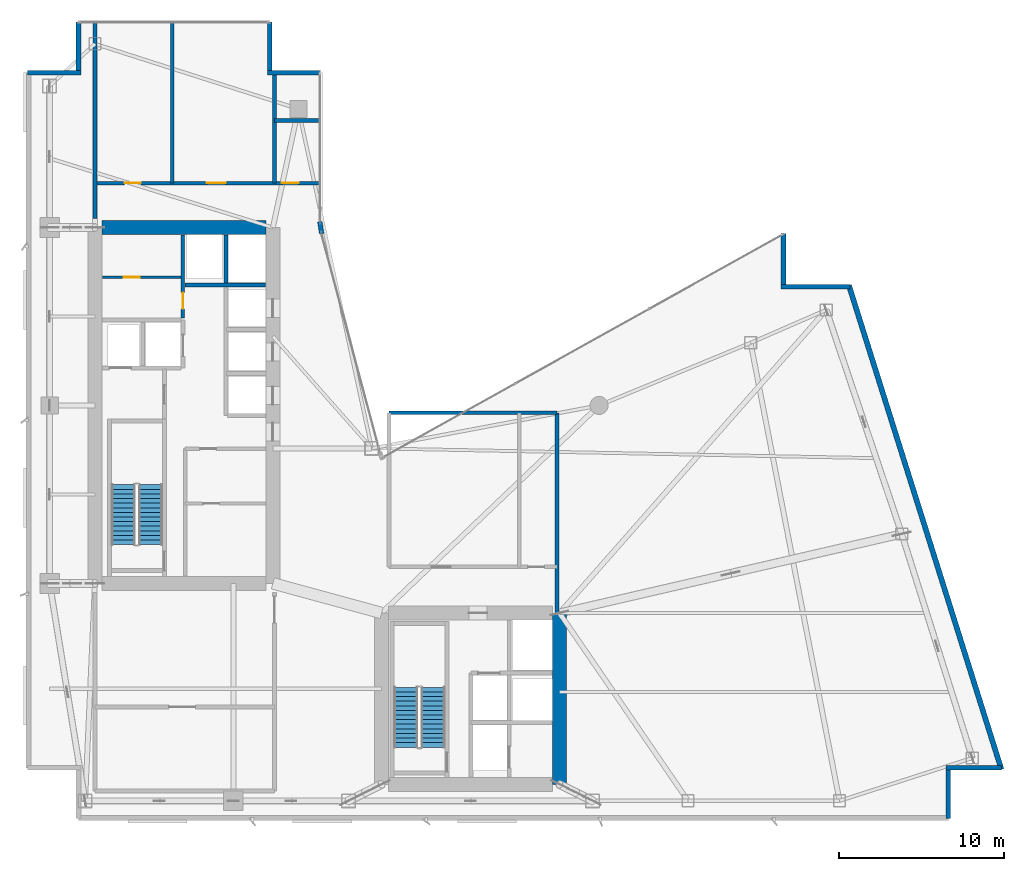
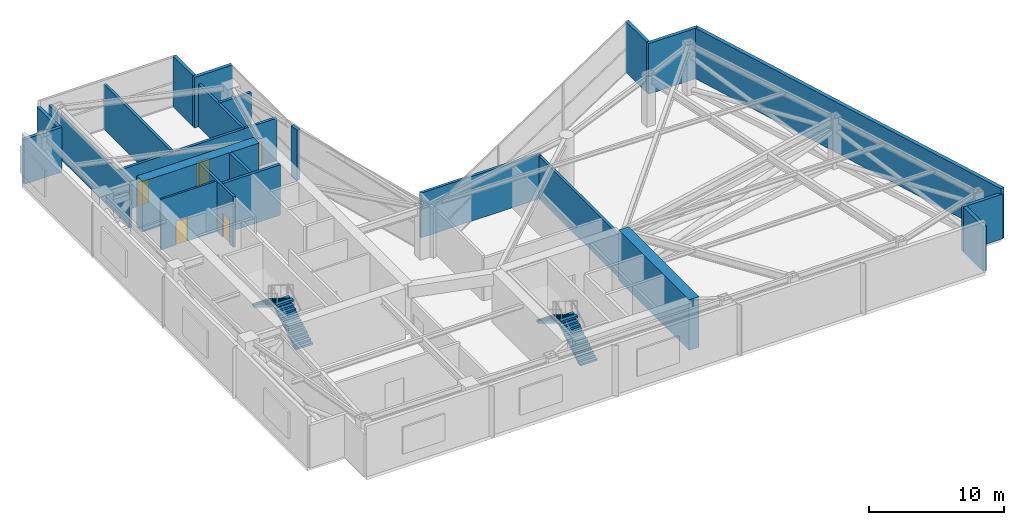
# One storey, part 16 of 19: 23 walls, 5 doors, 4 stair flights, 5 openings, 2 elements without a shape of their own.
"""IFC4 building model written with IfcOpenShell, lengths in metres."""

from ifc_helpers import new_model, si_unit, direction, frame, frame_2d, origin, place, context, subcontext, project, spatial, polyline, rectangle, outline, extrude, material, layer, layer_set, type_object, element, fill, aggregate, save


model = new_model("IFC4")

# Units and contexts
model_context = context("Model", 3, precision=1e-05, world=origin(), true_north=direction((0.0, 1.0)))
body_context = subcontext(model_context, "Body", "Model", "MODEL_VIEW")
ifc_project = project(units=[si_unit("LENGTHUNIT", "METRE"), si_unit("AREAUNIT", "SQUARE_METRE"), si_unit("VOLUMEUNIT", "CUBIC_METRE"), si_unit("PLANEANGLEUNIT", "RADIAN"), si_unit("MASSUNIT", "GRAM", prefix="KILO")], contexts=[model_context])

# Site, building, storey
site_placement = place(None, origin())
site = spatial("IfcSite", under=ifc_project, at=site_placement, CompositionType="ELEMENT")
building_placement = place(site_placement, origin())
building = spatial("IfcBuilding", under=site, at=building_placement, Name="Calvorn Quay Hotel", CompositionType="ELEMENT")
storey_placement = place(building_placement, frame((0.0, 0.0, 139.199951171875)))
storey = spatial("IfcBuildingStorey", under=building, at=storey_placement, Name="L34", CompositionType="ELEMENT", Elevation=139.199951171875)

# Walls
ifc_material_1 = material(Name="Concrete C50", Category="concrete")
ifc_layer_1 = layer(ifc_material_1, 0.85009765625)
ifc_layer_set_1 = layer_set([ifc_layer_1], Name="WL-CORE-850")
wall_type_1 = type_object("IfcWallType", Name="WL-CORE-850", PredefinedType="SHEAR", material=ifc_layer_set_1)
wall_1_placement = place(storey_placement, frame((4.625, 38.39990234375, 0.0), z_axis=(0.0, 0.0, 1.0), x_axis=(1.0, 0.0, 0.0)))
element("IfcWall", 1, at=wall_1_placement, inside=storey, type_object=wall_type_1, Name="West Core Shear Wall N (L34)", PredefinedType="SHEAR", context=body_context, shape_type="SweptSolid", body=[
    extrude(rectangle(XDim=9.949951171875, YDim=0.85009765625, at=frame_2d((4.97509765625, 0.0))), origin(), (0.0, 0.0, 1.0), 4.56005859375),
])
wall_2_placement = place(storey_placement, frame((32.39990234375, 4.60009765625, 0.0), z_axis=(0.0, 0.0, 1.0), x_axis=(0.0, 1.0, 0.0)))
element("IfcWall", 2, at=wall_2_placement, inside=storey, type_object=wall_type_1, Name="East Core Shear Wall E (L34)", PredefinedType="SHEAR", context=body_context, shape_type="SweptSolid", body=[
    extrude(rectangle(XDim=10.39990234375, YDim=0.85009765625, at=frame_2d((5.199951171875, 0.0))), origin(), (0.0, 0.0, 1.0), 4.56005859375),
])
ifc_material_2 = material(Name="Concrete C40", Category="concrete")
ifc_layer_2 = layer(ifc_material_2, 0.320068359375)
ifc_layer_set_2 = layer_set([ifc_layer_2], Name="WL-EXT-SPANDREL-320")
wall_type_2 = type_object("IfcWallType", Name="WL-EXT-SPANDREL-320", PredefinedType="SOLIDWALL", material=ifc_layer_set_2)
wall_3_placement = place(storey_placement, frame((17.9619140625, 38.030029296875, 0.0), z_axis=(0.0, 0.0, 1.0), x_axis=(-0.15141125477, 0.988470855377, 0.0)))
element("IfcWall", 3, at=wall_3_placement, inside=storey, type_object=wall_type_2, Name="Inner Court Corner Pier L34-ICJ2", PredefinedType="SOLIDWALL", context=body_context, shape_type="SweptSolid", body=[
    extrude(rectangle(XDim=0.738525390625, YDim=0.280029296875, at=frame_2d((0.369140625, 0.0))), origin(), (0.0, 0.0, 1.0), 4.56005859375),
])
wall_4_placement = place(storey_placement, frame((56.0, 2.52001953125, 0.0), z_axis=(0.0, 0.0, 1.0), x_axis=(0.0, 1.0, 0.0)))
element("IfcWall", 4, at=wall_4_placement, inside=storey, type_object=wall_type_2, Name="Notched Corner Spandrel L34-SE1", PredefinedType="SOLIDWALL", context=body_context, shape_type="SweptSolid", body=[
    extrude(rectangle(XDim=2.93994140625, YDim=0.280029296875, at=frame_2d((1.469970703125, 0.0))), origin(), (0.0, 0.0, 1.0), 4.0400390625),
])
wall_5_placement = place(storey_placement, frame((55.860107421875, 5.60009765625, 0.0), z_axis=(0.0, 0.0, 1.0), x_axis=(1.0, 0.0, 0.0)))
element("IfcWall", 5, at=wall_5_placement, inside=storey, type_object=wall_type_2, Name="Notched Corner Spandrel L34-SE2", PredefinedType="SOLIDWALL", context=body_context, shape_type="SweptSolid", body=[
    extrude(rectangle(XDim=3.3798828125, YDim=0.280029296875, at=frame_2d((1.68994140625, 0.0))), origin(), (0.0, 0.0, 1.0), 4.0400390625),
])
wall_6_placement = place(storey_placement, frame((50.0400390625, 34.800048828125, 0.0), z_axis=(0.0, 0.0, 1.0), x_axis=(-1.0, 0.0, 0.0)))
element("IfcWall", 6, at=wall_6_placement, inside=storey, type_object=wall_type_2, Name="Notched Corner Spandrel L34-NE1", PredefinedType="SOLIDWALL", context=body_context, shape_type="SweptSolid", body=[
    extrude(rectangle(XDim=4.179931640625, YDim=0.280029296875, at=frame_2d((2.08984375, 0.0))), origin(), (0.0, 0.0, 1.0), 4.56005859375),
])
wall_7_placement = place(storey_placement, frame((46.0, 34.93994140625, 0.0), z_axis=(0.0, 0.0, 1.0), x_axis=(0.0, 1.0, 0.0)))
element("IfcWall", 7, at=wall_7_placement, inside=storey, type_object=wall_type_2, Name="Notched Corner Spandrel L34-NE2", PredefinedType="SOLIDWALL", context=body_context, shape_type="SweptSolid", body=[
    extrude(rectangle(XDim=3.10009765625, YDim=0.280029296875, at=frame_2d((1.550048828125, 0.0))), origin(), (0.0, 0.0, 1.0), 4.56005859375),
])
wall_8_placement = place(storey_placement, frame((17.89990234375, 47.800048828125, 0.0), z_axis=(0.0, 0.0, 1.0), x_axis=(-1.0, 0.0, 0.0)))
element("IfcWall", 8, at=wall_8_placement, inside=storey, type_object=wall_type_2, Name="Notched Corner Spandrel L34-NWE1", PredefinedType="SOLIDWALL", context=body_context, shape_type="SweptSolid", body=[
    extrude(rectangle(XDim=3.239990234375, YDim=0.280029296875, at=frame_2d((1.6201171875, 0.0))), origin(), (0.0, 0.0, 1.0), 4.56005859375),
])
wall_9_placement = place(storey_placement, frame((14.800048828125, 47.93994140625, 0.0), z_axis=(0.0, 0.0, 1.0), x_axis=(0.0, 1.0, 0.0)))
element("IfcWall", 9, at=wall_9_placement, inside=storey, type_object=wall_type_2, Name="Notched Corner Spandrel L34-NWE2", PredefinedType="SOLIDWALL", context=body_context, shape_type="SweptSolid", body=[
    extrude(rectangle(XDim=2.93994140625, YDim=0.280029296875, at=frame_2d((1.469970703125, 0.0))), origin(), (0.0, 0.0, 1.0), 4.56005859375),
])
wall_10_placement = place(storey_placement, frame((3.199951171875, 50.8798828125, 0.0), z_axis=(0.0, 0.0, 1.0), x_axis=(0.0, -1.0, 0.0)))
element("IfcWall", 10, at=wall_10_placement, inside=storey, type_object=wall_type_2, Name="Notched Corner Spandrel L34-NW1", PredefinedType="SOLIDWALL", context=body_context, shape_type="SweptSolid", body=[
    extrude(rectangle(XDim=2.93994140625, YDim=0.280029296875, at=frame_2d((1.469970703125, 0.0))), origin(), (0.0, 0.0, 1.0), 4.0400390625),
])
wall_11_placement = place(storey_placement, frame((3.340087890625, 47.800048828125, 0.0), z_axis=(0.0, 0.0, 1.0), x_axis=(-1.0, 0.0, 0.0)))
element("IfcWall", 11, at=wall_11_placement, inside=storey, type_object=wall_type_2, Name="Notched Corner Spandrel L34-NW2", PredefinedType="SOLIDWALL", context=body_context, shape_type="SweptSolid", body=[
    extrude(rectangle(XDim=3.219970703125, YDim=0.280029296875, at=frame_2d((1.60986328125, 0.0))), origin(), (0.0, 0.0, 1.0), 4.0400390625),
])
wall_12_placement = place(storey_placement, frame((59.22998046875, 5.5048828125, 0.0), z_axis=(0.0, 0.0, 1.0), x_axis=(-0.300509063924, 0.953778958931, 0.0)))
element("IfcWall", 12, at=wall_12_placement, inside=storey, type_object=wall_type_2, Name="East Stepped Waterfront Exterior Wall (L34)", PredefinedType="SOLIDWALL", context=body_context, shape_type="SweptSolid", body=[
    extrude(rectangle(XDim=30.814453125, YDim=0.320068359375, at=frame_2d((15.4072265625, 0.0))), origin(), (0.0, 0.0, 1.0), 4.56005859375),
])

# Wall, opening, door
ifc_material_3 = material(Name="Double-Stud Acoustic Gypsum Partition")
ifc_layer_3 = layer(ifc_material_3, 0.159912109375)
ifc_layer_set_3 = layer_set([ifc_layer_3], Name="WL-INTERSUITE-160")
wall_type_3 = type_object("IfcWallType", Name="WL-INTERSUITE-160", PredefinedType="PARTITIONING", material=ifc_layer_set_3)
wall_13_placement = place(storey_placement, frame((4.64501953125, 35.3798828125, 0.0), z_axis=(0.0, 0.0, 1.0), x_axis=(1.0, 0.0, 0.0)))
wall_13 = element("IfcWall", 13, at=wall_13_placement, inside=storey, type_object=wall_type_3, Name="Partition Wall L34-WL-CWW-K-MID", PredefinedType="PARTITIONING", context=body_context, shape_type="SweptSolid", body=[
    extrude(rectangle(XDim=4.77490234375, YDim=0.159912109375, at=frame_2d((2.387451171875, 0.0))), origin(), (0.0, 0.0, 1.0), 4.56005859375),
])
opening_1_placement = place(wall_13_placement, frame((1.300048828125, 0.0, 0.0)))
opening_1 = element("IfcOpeningElement", 14, at=opening_1_placement, cuts=wall_13, Name="Opening D-L34-CK2", PredefinedType="OPENING", context=body_context, shape_type="SweptSolid", body=[
    extrude(rectangle(XDim=0.97998046875, YDim=2.14990234375, at=frame_2d((0.489990234375, 1.074951171875))), frame((0.0, 0.08984375, 0.0), z_axis=(0.0, -1.0, 0.0), x_axis=(1.0, 0.0, 0.0)), (0.0, 0.0, 1.0), 0.179931640625),
])
ifc_material_4 = material(Name="Painted Steel Housekeeping/Riser Fire Door", Category="steel")
door_type_1 = type_object("IfcDoorType", Name="DR-SERVICE-980", OperationType="NOTDEFINED", PredefinedType="DOOR", material=ifc_material_4)
door_1_placement = place(opening_1_placement, origin())
door_1 = element("IfcDoor", 15, at=door_1_placement, inside=storey, type_object=door_type_1, Name="Electrical Riser Door (L34)", OperationType="SINGLE_SWING_RIGHT", OverallHeight=2.14990234375, OverallWidth=0.97998046875, PredefinedType="DOOR", context=body_context, shape_type="SweptSolid", body=[
    extrude(rectangle(XDim=0.97998046875, YDim=2.14990234375, at=frame_2d((0.489990234375, 1.074951171875))), frame((0.0, 0.02490234375, 0.0), z_axis=(0.0, -1.0, 0.0), x_axis=(1.0, 0.0, 0.0)), (0.0, 0.0, 1.0), 0.050048828125),
])
fill(opening_1, door_1)

ifc_material_5 = material(Name="Autoclaved Aerated Masonry Block", Category="masonry")
ifc_layer_4 = layer(ifc_material_5, 0.219970703125)
ifc_layer_set_4 = layer_set([ifc_layer_4], Name="WL-LOBBY-FIRE-220")
wall_type_4 = type_object("IfcWallType", Name="WL-LOBBY-FIRE-220", PredefinedType="SOLIDWALL", material=ifc_layer_set_4)
wall_14_placement = place(storey_placement, frame((9.5400390625, 32.919921875, 0.0), z_axis=(0.0, 0.0, 1.0), x_axis=(0.0, 1.0, 0.0)))
wall_14 = element("IfcWall", 16, at=wall_14_placement, inside=storey, type_object=wall_type_4, Name="Partition Wall L34-WL-CWW-K-E", PredefinedType="SOLIDWALL", context=body_context, shape_type="SweptSolid", body=[
    extrude(rectangle(XDim=5.03515625, YDim=0.219970703125, at=frame_2d((2.517578125, 0.0))), origin(), (0.0, 0.0, 1.0), 4.56005859375),
])
opening_2_placement = place(wall_14_placement, frame((0.550048828125, 0.0, 0.0)))
opening_2 = element("IfcOpeningElement", 17, at=opening_2_placement, cuts=wall_14, Name="Opening D-L34-CK1", PredefinedType="OPENING", context=body_context, shape_type="SweptSolid", body=[
    extrude(rectangle(XDim=0.97998046875, YDim=2.14990234375, at=frame_2d((0.489990234375, 1.074951171875))), frame((0.0, 0.119873046875, 0.0), z_axis=(0.0, -1.0, 0.0), x_axis=(1.0, 0.0, 0.0)), (0.0, 0.0, 1.0), 0.239990234375),
])
door_2_placement = place(opening_2_placement, origin())
door_2 = element("IfcDoor", 18, at=door_2_placement, inside=storey, type_object=door_type_1, Name="Core Housekeeping Door (L34)", OperationType="SINGLE_SWING_LEFT", OverallHeight=2.14990234375, OverallWidth=0.97998046875, PredefinedType="DOOR", context=body_context, shape_type="SweptSolid", body=[
    extrude(rectangle(XDim=0.97998046875, YDim=2.14990234375, at=frame_2d((0.489990234375, 1.074951171875))), frame((0.0, 0.02490234375, 0.0), z_axis=(0.0, -1.0, 0.0), x_axis=(1.0, 0.0, 0.0)), (0.0, 0.0, 1.0), 0.050048828125),
])
fill(opening_2, door_2)

# Walls
wall_15_placement = place(storey_placement, frame((4.199951171875, 38.949951171875, 0.0), z_axis=(0.0, 0.0, 1.0), x_axis=(0.0, 1.0, 0.0)))
element("IfcWall", 19, at=wall_15_placement, inside=storey, type_object=wall_type_4, Name="Partition Wall L34-WL-RF-BELT-NW", PredefinedType="SOLIDWALL", context=body_context, shape_type="SweptSolid", body=[
    extrude(rectangle(XDim=11.989990234375, YDim=0.219970703125, at=frame_2d((5.9951171875, 0.0))), origin(), (0.0, 0.0, 1.0), 3.840087890625),
])
wall_16_placement = place(storey_placement, frame((8.89990234375, 41.10009765625, 0.0), z_axis=(0.0, 0.0, 1.0), x_axis=(0.0, 1.0, 0.0)))
element("IfcWall", 20, at=wall_16_placement, inside=storey, type_object=wall_type_4, Name="Partition Wall L34-WL-RF-EL-E", PredefinedType="SOLIDWALL", context=body_context, shape_type="SweptSolid", body=[
    extrude(rectangle(XDim=9.83984375, YDim=0.219970703125, at=frame_2d((4.919921875, 0.0))), origin(), (0.0, 0.0, 1.0), 4.0400390625),
])

# Wall, openings, doors
wall_17_placement = place(storey_placement, frame((4.199951171875, 41.10009765625, 0.0), z_axis=(0.0, 0.0, 1.0), x_axis=(1.0, 0.0, 0.0)))
wall_17 = element("IfcWall", 21, at=wall_17_placement, inside=storey, type_object=wall_type_4, Name="Partition Wall L34-WL-RF-N-S", PredefinedType="SOLIDWALL", context=body_context, shape_type="SweptSolid", body=[
    extrude(rectangle(XDim=13.650146484375, YDim=0.219970703125, at=frame_2d((6.8251953125, 0.0))), origin(), (0.0, 0.0, 1.0), 3.840087890625),
])
opening_3_placement = place(wall_17_placement, frame((1.800048828125, 0.0, 0.0)))
opening_3 = element("IfcOpeningElement", 22, at=opening_3_placement, cuts=wall_17, Name="Opening D-L34-P3", PredefinedType="OPENING", context=body_context, shape_type="SweptSolid", body=[
    extrude(rectangle(XDim=0.97998046875, YDim=2.14990234375, at=frame_2d((0.489990234375, 1.074951171875))), frame((0.0, 0.119873046875, 0.0), z_axis=(0.0, -1.0, 0.0), x_axis=(1.0, 0.0, 0.0)), (0.0, 0.0, 1.0), 0.239990234375),
])
opening_4_placement = place(wall_17_placement, frame((6.800048828125, 0.0, 0.0)))
opening_4 = element("IfcOpeningElement", 23, at=opening_4_placement, cuts=wall_17, Name="Opening D-L34-RF1", PredefinedType="OPENING", context=body_context, shape_type="SweptSolid", body=[
    extrude(rectangle(XDim=1.14990234375, YDim=2.199951171875, at=frame_2d((0.574951171875, 1.10009765625))), frame((0.0, 0.119873046875, 0.0), z_axis=(0.0, -1.0, 0.0), x_axis=(1.0, 0.0, 0.0)), (0.0, 0.0, 1.0), 0.239990234375),
])
opening_5_placement = place(wall_17_placement, frame((11.35009765625, 0.0, 0.0)))
opening_5 = element("IfcOpeningElement", 24, at=opening_5_placement, cuts=wall_17, Name="Opening D-L34-RFW", PredefinedType="OPENING", context=body_context, shape_type="SweptSolid", body=[
    extrude(rectangle(XDim=1.02001953125, YDim=2.199951171875, at=frame_2d((0.510009765625, 1.10009765625))), frame((0.0, 0.119873046875, 0.0), z_axis=(0.0, -1.0, 0.0), x_axis=(1.0, 0.0, 0.0)), (0.0, 0.0, 1.0), 0.239990234375),
])
ifc_material_6 = material(Name="Solid-Core Walnut Veneer Hotel Fire Door")
door_type_2 = type_object("IfcDoorType", Name="DR-GUEST-ENTRY-1020", OperationType="NOTDEFINED", PredefinedType="DOOR", material=ifc_material_6)
door_3_placement = place(opening_5_placement, origin())
door_3 = element("IfcDoor", 25, at=door_3_placement, inside=storey, type_object=door_type_2, Name="Refuge Accessible WC Door", OperationType="SINGLE_SWING_RIGHT", OverallHeight=2.199951171875, OverallWidth=1.02001953125, PredefinedType="DOOR", context=body_context, shape_type="SweptSolid", body=[
    extrude(rectangle(XDim=1.02001953125, YDim=2.199951171875, at=frame_2d((0.510009765625, 1.10009765625))), frame((0.0, 0.02490234375, 0.0), z_axis=(0.0, -1.0, 0.0), x_axis=(1.0, 0.0, 0.0)), (0.0, 0.0, 1.0), 0.050048828125),
])
fill(opening_5, door_3)
door_4_placement = place(opening_3_placement, origin())
door_4 = element("IfcDoor", 26, at=door_4_placement, inside=storey, type_object=door_type_1, Name="Electrical Substation Door", OperationType="SINGLE_SWING_LEFT", OverallHeight=2.14990234375, OverallWidth=0.97998046875, PredefinedType="DOOR", context=body_context, shape_type="SweptSolid", body=[
    extrude(rectangle(XDim=0.97998046875, YDim=2.14990234375, at=frame_2d((0.489990234375, 1.074951171875))), frame((0.0, 0.02490234375, 0.0), z_axis=(0.0, -1.0, 0.0), x_axis=(1.0, 0.0, 0.0)), (0.0, 0.0, 1.0), 0.050048828125),
])
fill(opening_3, door_4)
ifc_material_7 = material(Name="Galvanised Steel Class A Fire Door", Category="steel")
door_type_3 = type_object("IfcDoorType", Name="DR-STAIR-SMOKE-1150", OperationType="NOTDEFINED", PredefinedType="DOOR", material=ifc_material_7)
door_5_placement = place(opening_4_placement, origin())
door_5 = element("IfcDoor", 27, at=door_5_placement, inside=storey, type_object=door_type_3, Name="North Refuge Area Fire Door", OperationType="SINGLE_SWING_LEFT", OverallHeight=2.199951171875, OverallWidth=1.14990234375, PredefinedType="DOOR", context=body_context, shape_type="SweptSolid", body=[
    extrude(rectangle(XDim=1.14990234375, YDim=2.199951171875, at=frame_2d((0.574951171875, 1.10009765625))), frame((0.0, 0.02490234375, 0.0), z_axis=(0.0, -1.0, 0.0), x_axis=(1.0, 0.0, 0.0)), (0.0, 0.0, 1.0), 0.050048828125),
])
fill(opening_4, door_5)

# Walls
wall_18_placement = place(storey_placement, frame((15.10009765625, 41.10009765625, 0.0), z_axis=(0.0, 0.0, 1.0), x_axis=(0.0, 1.0, 0.0)))
element("IfcWall", 28, at=wall_18_placement, inside=storey, type_object=wall_type_4, Name="Partition Wall L34-WL-RF-WC-W", PredefinedType="SOLIDWALL", context=body_context, shape_type="SweptSolid", body=[
    extrude(rectangle(XDim=6.699951171875, YDim=0.219970703125, at=frame_2d((3.35009765625, 0.0))), origin(), (0.0, 0.0, 1.0), 3.840087890625),
])
wall_19_placement = place(storey_placement, frame((15.10009765625, 44.89990234375, 0.0), z_axis=(0.0, 0.0, 1.0), x_axis=(1.0, 0.0, 0.0)))
element("IfcWall", 29, at=wall_19_placement, inside=storey, type_object=wall_type_4, Name="Partition Wall L34-WL-RF-WC-N", PredefinedType="SOLIDWALL", context=body_context, shape_type="SweptSolid", body=[
    extrude(rectangle(XDim=2.75, YDim=0.219970703125, at=frame_2d((1.375, 0.0))), origin(), (0.0, 0.0, 1.0), 3.840087890625),
])
wall_20_placement = place(storey_placement, frame((32.25, 15.0, 0.0), z_axis=(0.0, 0.0, 1.0), x_axis=(0.0, 1.0, 0.0)))
element("IfcWall", 30, at=wall_20_placement, inside=storey, type_object=wall_type_4, Name="Partition Wall L34-WL-RF-C-E", PredefinedType="SOLIDWALL", context=body_context, shape_type="SweptSolid", body=[
    extrude(rectangle(XDim=12.14990234375, YDim=0.219970703125, at=frame_2d((6.074951171875, 0.0))), origin(), (0.0, 0.0, 1.0), 3.840087890625),
])
wall_21_placement = place(storey_placement, frame((22.050048828125, 27.14990234375, 0.0), z_axis=(0.0, 0.0, 1.0), x_axis=(1.0, 0.0, 0.0)))
element("IfcWall", 31, at=wall_21_placement, inside=storey, type_object=wall_type_4, Name="Partition Wall L34-WL-RF-C-N", PredefinedType="SOLIDWALL", context=body_context, shape_type="SweptSolid", body=[
    extrude(rectangle(XDim=10.199951171875, YDim=0.219970703125, at=frame_2d((5.10009765625, 0.0))), origin(), (0.0, 0.0, 1.0), 4.0400390625),
])
ifc_material_8 = material(Name="Concrete C40", Category="concrete")
ifc_layer_5 = layer(ifc_material_8, 0.239990234375)
ifc_layer_set_5 = layer_set([ifc_layer_5], Name="WL-SHAFT-240")
wall_type_5 = type_object("IfcWallType", Name="WL-SHAFT-240", PredefinedType="SOLIDWALL", material=ifc_layer_set_5)
wall_22_placement = place(storey_placement, frame((9.659912109375, 34.89990234375, 0.0), z_axis=(0.0, 0.0, 1.0), x_axis=(1.0, 0.0, 0.0)))
element("IfcWall", 32, at=wall_22_placement, inside=storey, type_object=wall_type_5, Name="Partition Wall L34-WL-CWW-PLH-S", PredefinedType="SOLIDWALL", context=body_context, shape_type="SweptSolid", body=[
    extrude(rectangle(XDim=4.89501953125, YDim=0.239990234375, at=frame_2d((2.447509765625, 0.0))), origin(), (0.0, 0.0, 1.0), 4.56005859375),
])
wall_23_placement = place(storey_placement, frame((12.14990234375, 35.02001953125, 0.0), z_axis=(0.0, 0.0, 1.0), x_axis=(0.0, 1.0, 0.0)))
element("IfcWall", 33, at=wall_23_placement, inside=storey, type_object=wall_type_5, Name="Partition Wall L34-WL-CWW-PLH-DIV", PredefinedType="SOLIDWALL", context=body_context, shape_type="SweptSolid", body=[
    extrude(rectangle(XDim=2.93505859375, YDim=0.239990234375, at=frame_2d((1.467529296875, 0.0))), origin(), (0.0, 0.0, 1.0), 4.56005859375),
])

# Stair, stair flights
ifc_material_9 = material(Name="Concrete C40", Category="concrete")
stair_type = type_object("IfcStairType", Name="STR-CORE-DOGLEG", PredefinedType="HALF_TURN_STAIR", material=ifc_material_9)
stair_1_placement = place(storey_placement, origin())
stair_1 = element("IfcStair", 34, at=stair_1_placement, inside=storey, type_object=stair_type, Name="L34 ST-W", PredefinedType="HALF_TURN_STAIR")
ifc_material_10 = material(Name="Concrete C40", Category="concrete")
stair_flight_type = type_object("IfcStairFlightType", Name="FLT-CORE-1550", PredefinedType="STRAIGHT", material=ifc_material_10)
stair_flight_1_placement = place(storey_placement, frame((7.574951171875, 19.14990234375, 0.0), z_axis=(0.0, 0.0, 1.0), x_axis=(0.0, 1.0, 0.0)))
stair_flight_1 = element("IfcStairFlight", 35, at=stair_flight_1_placement, type_object=stair_flight_type, Name="ST-W flight 1", NumberOfRisers=14, NumberOfTreads=13, PredefinedType="STRAIGHT", RiserHeight=0.171428571, TreadLength=0.28, context=body_context, shape_type="SweptSolid", body=[
    extrude(outline(polyline([(0.0, 0.0), (0.0, 0.17138671875), (0.280029296875, 0.17138671875), (0.280029296875, 0.3427734375), (0.56005859375, 0.3427734375), (0.56005859375, 0.514404296875), (0.840087890625, 0.514404296875), (0.840087890625, 0.685791015625), (1.1201171875, 0.685791015625), (1.1201171875, 0.857177734375), (1.39990234375, 0.857177734375), (1.39990234375, 1.028564453125), (1.679931640625, 1.028564453125), (1.679931640625, 1.199951171875), (1.9599609375, 1.199951171875), (1.9599609375, 1.371337890625), (2.239990234375, 1.371337890625), (2.239990234375, 1.54296875), (2.52001953125, 1.54296875), (2.52001953125, 1.71435546875), (2.800048828125, 1.71435546875), (2.800048828125, 1.8857421875), (3.080078125, 1.8857421875), (3.080078125, 2.05712890625), (3.360107421875, 2.05712890625), (3.360107421875, 2.228515625), (3.639892578125, 2.228515625), (3.639892578125, 2.39990234375), (3.639892578125, 2.052734375), (0.287109375, 0.0), (0.0, 0.0)])), frame((0.0, 0.72509765625, 0.0), z_axis=(0.0, -1.0, 0.0), x_axis=(1.0, 0.0, 0.0)), (0.0, 0.0, 1.0), 1.449951171875),
])
stair_flight_2_placement = place(storey_placement, frame((5.925048828125, 22.7900390625, 2.400146484375), z_axis=(0.0, 0.0, 1.0), x_axis=(0.0, -1.0, 0.0)))
stair_flight_2 = element("IfcStairFlight", 36, at=stair_flight_2_placement, type_object=stair_flight_type, Name="ST-W flight 2", NumberOfRisers=14, NumberOfTreads=13, PredefinedType="STRAIGHT", RiserHeight=0.171428571, TreadLength=0.28, context=body_context, shape_type="SweptSolid", body=[
    extrude(outline(polyline([(0.0, 0.0), (0.0, 0.17138671875), (0.280029296875, 0.17138671875), (0.280029296875, 0.3427734375), (0.56005859375, 0.3427734375), (0.56005859375, 0.514404296875), (0.840087890625, 0.514404296875), (0.840087890625, 0.685791015625), (1.1201171875, 0.685791015625), (1.1201171875, 0.857177734375), (1.39990234375, 0.857177734375), (1.39990234375, 1.028564453125), (1.679931640625, 1.028564453125), (1.679931640625, 1.199951171875), (1.9599609375, 1.199951171875), (1.9599609375, 1.371337890625), (2.239990234375, 1.371337890625), (2.239990234375, 1.54296875), (2.52001953125, 1.54296875), (2.52001953125, 1.71435546875), (2.800048828125, 1.71435546875), (2.800048828125, 1.8857421875), (3.080078125, 1.8857421875), (3.080078125, 2.05712890625), (3.360107421875, 2.05712890625), (3.360107421875, 2.228515625), (3.639892578125, 2.228515625), (3.639892578125, 2.39990234375), (3.639892578125, 2.052734375), (0.287109375, 0.0), (0.0, 0.0)])), frame((0.0, 0.72509765625, 0.0), z_axis=(0.0, -1.0, 0.0), x_axis=(1.0, 0.0, 0.0)), (0.0, 0.0, 1.0), 1.449951171875),
])
aggregate(stair_1, [stair_flight_1, stair_flight_2])

stair_2_placement = place(storey_placement, origin())
stair_2 = element("IfcStair", 37, at=stair_2_placement, inside=storey, type_object=stair_type, Name="L34 ST-E", PredefinedType="HALF_TURN_STAIR")
stair_flight_3_placement = place(storey_placement, frame((24.72509765625, 6.85009765625, 0.0), z_axis=(0.0, 0.0, 1.0), x_axis=(0.0, 1.0, 0.0)))
stair_flight_3 = element("IfcStairFlight", 38, at=stair_flight_3_placement, type_object=stair_flight_type, Name="ST-E flight 1", NumberOfRisers=14, NumberOfTreads=13, PredefinedType="STRAIGHT", RiserHeight=0.171428571, TreadLength=0.28, context=body_context, shape_type="SweptSolid", body=[
    extrude(outline(polyline([(0.0, 0.0), (0.0, 0.17138671875), (0.280029296875, 0.17138671875), (0.280029296875, 0.3427734375), (0.56005859375, 0.3427734375), (0.56005859375, 0.514404296875), (0.840087890625, 0.514404296875), (0.840087890625, 0.685791015625), (1.1201171875, 0.685791015625), (1.1201171875, 0.857177734375), (1.39990234375, 0.857177734375), (1.39990234375, 1.028564453125), (1.679931640625, 1.028564453125), (1.679931640625, 1.199951171875), (1.9599609375, 1.199951171875), (1.9599609375, 1.371337890625), (2.239990234375, 1.371337890625), (2.239990234375, 1.54296875), (2.52001953125, 1.54296875), (2.52001953125, 1.71435546875), (2.800048828125, 1.71435546875), (2.800048828125, 1.8857421875), (3.080078125, 1.8857421875), (3.080078125, 2.05712890625), (3.360107421875, 2.05712890625), (3.360107421875, 2.228515625), (3.639892578125, 2.228515625), (3.639892578125, 2.39990234375), (3.639892578125, 2.052734375), (0.287109375, 0.0), (0.0, 0.0)])), frame((0.0, 0.72509765625, 0.0), z_axis=(0.0, -1.0, 0.0), x_axis=(1.0, 0.0, 0.0)), (0.0, 0.0, 1.0), 1.449951171875),
])
stair_flight_4_placement = place(storey_placement, frame((23.074951171875, 10.489990234375, 2.400146484375), z_axis=(0.0, 0.0, 1.0), x_axis=(0.0, -1.0, 0.0)))
stair_flight_4 = element("IfcStairFlight", 39, at=stair_flight_4_placement, type_object=stair_flight_type, Name="ST-E flight 2", NumberOfRisers=14, NumberOfTreads=13, PredefinedType="STRAIGHT", RiserHeight=0.171428571, TreadLength=0.28, context=body_context, shape_type="SweptSolid", body=[
    extrude(outline(polyline([(0.0, 0.0), (0.0, 0.17138671875), (0.280029296875, 0.17138671875), (0.280029296875, 0.3427734375), (0.56005859375, 0.3427734375), (0.56005859375, 0.514404296875), (0.840087890625, 0.514404296875), (0.840087890625, 0.685791015625), (1.1201171875, 0.685791015625), (1.1201171875, 0.857177734375), (1.39990234375, 0.857177734375), (1.39990234375, 1.028564453125), (1.679931640625, 1.028564453125), (1.679931640625, 1.199951171875), (1.9599609375, 1.199951171875), (1.9599609375, 1.371337890625), (2.239990234375, 1.371337890625), (2.239990234375, 1.54296875), (2.52001953125, 1.54296875), (2.52001953125, 1.71435546875), (2.800048828125, 1.71435546875), (2.800048828125, 1.8857421875), (3.080078125, 1.8857421875), (3.080078125, 2.05712890625), (3.360107421875, 2.05712890625), (3.360107421875, 2.228515625), (3.639892578125, 2.228515625), (3.639892578125, 2.39990234375), (3.639892578125, 2.052734375), (0.287109375, 0.0), (0.0, 0.0)])), frame((0.0, 0.72509765625, 0.0), z_axis=(0.0, -1.0, 0.0), x_axis=(1.0, 0.0, 0.0)), (0.0, 0.0, 1.0), 1.449951171875),
])
aggregate(stair_2, [stair_flight_3, stair_flight_4])

save(model, "model.ifc")
